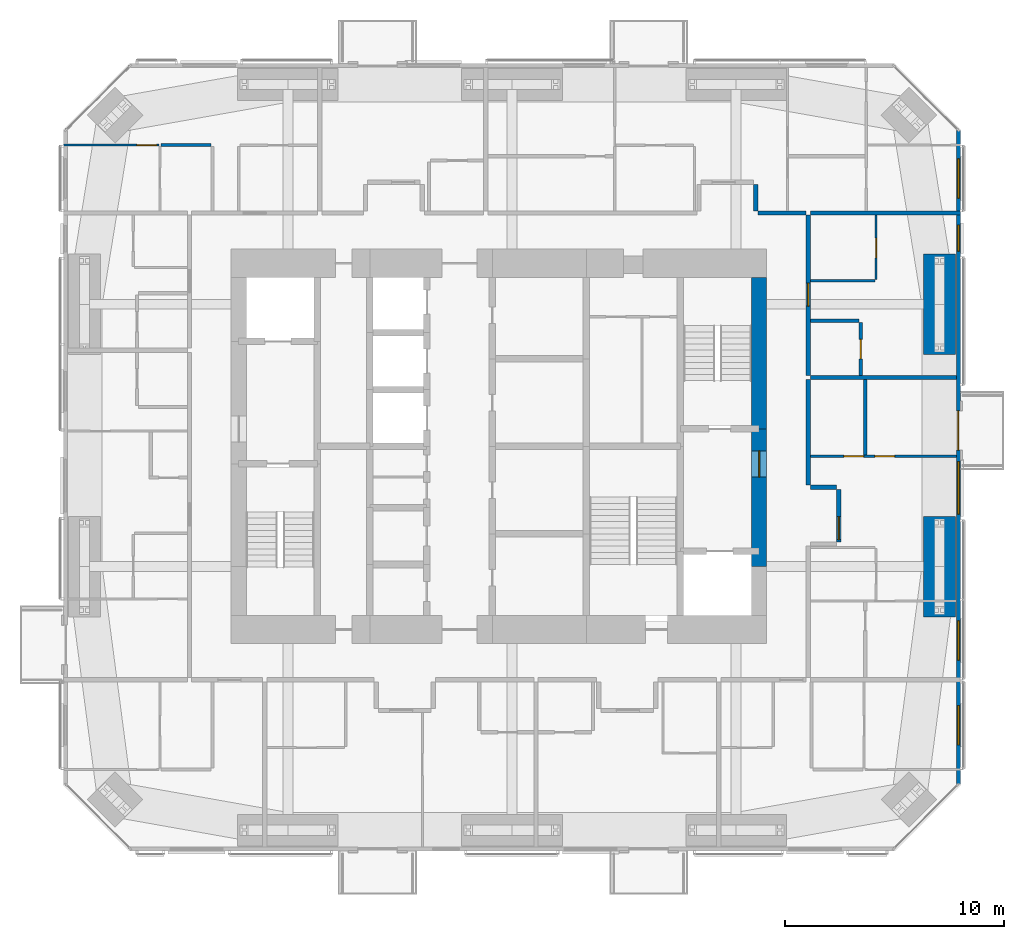
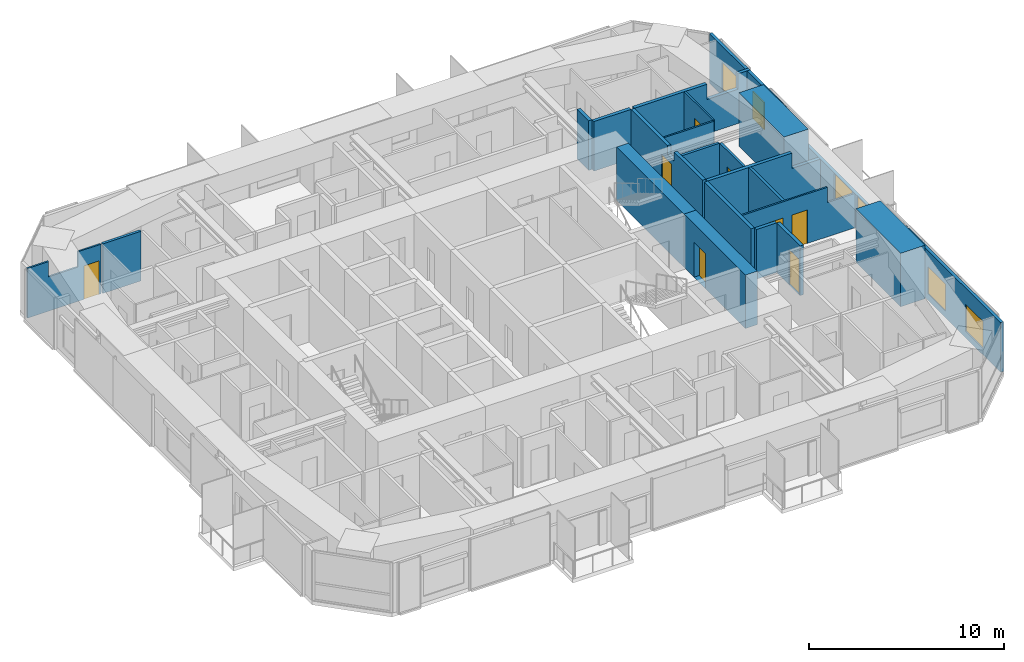
# One storey, part 20 of 23: 21 walls, 9 doors, 5 windows, 14 openings.
"""IFC4 building model written with IfcOpenShell, lengths in metres."""

from ifc_helpers import new_model, si_unit, direction, frame, frame_2d, origin, place, context, subcontext, project, spatial, polyline, rectangle, outline, extrude, material, layer, layer_set, constituent, constituent_set, type_object, element, fill, save


model = new_model("IFC4")

# Units and contexts
model_context = context("Model", 3, precision=1e-05, world=origin(), true_north=direction((0.0, 1.0)))
body_context = subcontext(model_context, "Body", "Model", "MODEL_VIEW")
ifc_project = project(units=[si_unit("LENGTHUNIT", "METRE"), si_unit("AREAUNIT", "SQUARE_METRE"), si_unit("VOLUMEUNIT", "CUBIC_METRE"), si_unit("PLANEANGLEUNIT", "RADIAN"), si_unit("MASSUNIT", "GRAM", prefix="KILO")], contexts=[model_context])

# Site, building, storey
site_placement = place(None, origin())
site = spatial("IfcSite", under=ifc_project, at=site_placement, CompositionType="ELEMENT")
building_placement = place(site_placement, origin())
building = spatial("IfcBuilding", under=site, at=building_placement, Name="Jalousie Tower", CompositionType="ELEMENT")
storey_placement = place(building_placement, frame((0.0, 0.0, 164.39990234375)))
storey = spatial("IfcBuildingStorey", under=building, at=storey_placement, Name="L44", CompositionType="ELEMENT", Elevation=164.39990234375)

# Walls
ifc_material_1 = material(Name="Concrete block ASTM C90", Category="concrete")
ifc_constituent_1 = constituent(ifc_material_1, Name="Body")
ifc_material_2 = material(Name="Render")
ifc_constituent_2 = constituent(ifc_material_2, Name="Finish")
ifc_constituent_set_1 = constituent_set(constituents=[ifc_constituent_1, ifc_constituent_2])
wall_type_1 = type_object("IfcWallType", Name="BATHROOM WALL 150", PredefinedType="PLUMBINGWALL", material=ifc_constituent_set_1)
wall_1_placement = place(storey_placement, frame((18.72509765625, 32.27880859375, 0.0), z_axis=(0.0, 0.0, 1.0), x_axis=(-1.0, 0.0, 0.0)))
element("IfcWall", 1, at=wall_1_placement, inside=storey, type_object=wall_type_1, Name="Bathroom Wall 150 L44", PredefinedType="PLUMBINGWALL", context=body_context, shape_type="SweptSolid", body=[
    extrude(rectangle(XDim=2.275146484375, YDim=0.14990234375, at=frame_2d((1.1376953125, 0.0))), origin(), (0.0, 0.0, 1.0), 3.110107421875),
])
wall_2_placement = place(storey_placement, frame((48.64990234375, 18.10009765625, 0.0), z_axis=(0.0, 0.0, 1.0), x_axis=(0.0, 1.0, 0.0)))
element("IfcWall", 2, at=wall_2_placement, inside=storey, type_object=wall_type_1, Name="Bathroom Wall 150 L44", PredefinedType="PLUMBINGWALL", context=body_context, shape_type="SweptSolid", body=[
    extrude(rectangle(XDim=3.449951171875, YDim=0.14990234375, at=frame_2d((1.72509765625, 0.0))), origin(), (0.0, 0.0, 1.0), 3.110107421875),
])

# Wall, opening, door
wall_3_placement = place(storey_placement, frame((48.449951171875, 21.75, 0.0), z_axis=(0.0, 0.0, 1.0), x_axis=(0.0, 1.0, 0.0)))
wall_3 = element("IfcWall", 3, at=wall_3_placement, inside=storey, type_object=wall_type_1, Name="Bathroom Wall 150 L44", PredefinedType="PLUMBINGWALL", context=body_context, shape_type="SweptSolid", body=[
    extrude(rectangle(XDim=2.425048828125, YDim=0.14990234375, at=frame_2d((1.21240234375, 0.0))), origin(), (0.0, 0.0, 1.0), 3.110107421875),
])
opening_1_placement = place(wall_3_placement, frame((0.75, 0.0, 0.0)))
opening_1 = element("IfcOpeningElement", 4, at=opening_1_placement, cuts=wall_3, Name="Opening D3", PredefinedType="OPENING", context=body_context, shape_type="SweptSolid", body=[
    extrude(rectangle(XDim=0.89990234375, YDim=2.10009765625, at=frame_2d((0.449951171875, 1.050048828125))), frame((0.0, 0.0849609375, 0.0), z_axis=(0.0, -1.0, 0.0), x_axis=(1.0, 0.0, 0.0)), (0.0, 0.0, 1.0), 0.169921875),
])
ifc_material_3 = material(Name="Timber door", Category="wood")
door_type_1 = type_object("IfcDoorType", Name="BATHROOM DOOR 900", OperationType="SINGLE_SWING_LEFT", PredefinedType="DOOR", material=ifc_material_3)
door_1_placement = place(opening_1_placement, origin())
door_1 = element("IfcDoor", 5, at=door_1_placement, inside=storey, type_object=door_type_1, Name="Apartment 4411 bathroom door", OperationType="SINGLE_SWING_LEFT", OverallHeight=2.10009765625, OverallWidth=0.89990234375, PredefinedType="DOOR", context=body_context, shape_type="SweptSolid", body=[
    extrude(rectangle(XDim=0.89990234375, YDim=2.10009765625, at=frame_2d((0.449951171875, 1.050048828125))), frame((0.0, 0.02490234375, 0.0), z_axis=(0.0, -1.0, 0.0), x_axis=(1.0, 0.0, 0.0)), (0.0, 0.0, 1.0), 0.050048828125),
])
fill(opening_1, door_1)

# Wall
wall_4_placement = place(storey_placement, frame((48.375, 24.25, 0.0), z_axis=(0.0, 0.0, 1.0), x_axis=(-1.0, 0.0, 0.0)))
element("IfcWall", 6, at=wall_4_placement, inside=storey, type_object=wall_type_1, Name="Bathroom Wall 150 L44", PredefinedType="PLUMBINGWALL", context=body_context, shape_type="SweptSolid", body=[
    extrude(rectangle(XDim=2.22509765625, YDim=0.14990234375, at=frame_2d((1.112548828125, 0.0))), origin(), (0.0, 0.0, 1.0), 3.110107421875),
])

# Wall, opening, door
ifc_material_4 = material(Name="Concrete f'c 120 MPa", Category="concrete")
ifc_layer_1 = layer(ifc_material_4, 0.699951171875)
ifc_layer_set_1 = layer_set([ifc_layer_1], Name="Concrete f'c 120 MPa")
wall_type_2 = type_object("IfcWallType", Name="CORE WALL 700", PredefinedType="SHEAR", material=ifc_layer_set_1)
wall_5_placement = place(storey_placement, frame((43.800048828125, 13.0, 0.0), z_axis=(0.0, 0.0, 1.0), x_axis=(0.0, 1.0, 0.0)))
wall_5 = element("IfcWall", 7, at=wall_5_placement, inside=storey, type_object=wall_type_2, Name="Core wall EB L44", PredefinedType="SHEAR", context=body_context, shape_type="SweptSolid", body=[
    extrude(rectangle(XDim=6.300048828125, YDim=0.699951171875, at=frame_2d((3.14990234375, 0.0))), origin(), (0.0, 0.0, 1.0), 3.35009765625),
])
opening_2_placement = place(wall_5_placement, frame((4.10009765625, 0.0, 0.0)))
opening_2 = element("IfcOpeningElement", 8, at=opening_2_placement, cuts=wall_5, Name="Opening D11", PredefinedType="OPENING", context=body_context, shape_type="SweptSolid", body=[
    extrude(rectangle(XDim=1.199951171875, YDim=2.199951171875, at=frame_2d((0.60009765625, 1.10009765625))), frame((0.0, 0.35986328125, 0.0), z_axis=(0.0, -1.0, 0.0), x_axis=(1.0, 0.0, 0.0)), (0.0, 0.0, 1.0), 0.719970703125),
])
ifc_material_5 = material(Name="Steel fire door", Category="steel")
door_type_2 = type_object("IfcDoorType", Name="FIRE DOOR 1200", OperationType="SINGLE_SWING_LEFT", PredefinedType="DOOR", material=ifc_material_5)
door_2_placement = place(opening_2_placement, origin())
door_2 = element("IfcDoor", 9, at=door_2_placement, inside=storey, type_object=door_type_2, Name="Fire-fighting lobby B door", OperationType="SINGLE_SWING_RIGHT", OverallHeight=2.199951171875, OverallWidth=1.199951171875, PredefinedType="DOOR", context=body_context, shape_type="SweptSolid", body=[
    extrude(rectangle(XDim=1.199951171875, YDim=2.199951171875, at=frame_2d((0.60009765625, 1.10009765625))), frame((0.0, 0.02490234375, 0.0), z_axis=(0.0, -1.0, 0.0), x_axis=(1.0, 0.0, 0.0)), (0.0, 0.0, 1.0), 0.050048828125),
])
fill(opening_2, door_2)

# Wall
wall_6_placement = place(storey_placement, frame((43.800048828125, 19.300048828125, 0.0), z_axis=(0.0, 0.0, 1.0), x_axis=(0.0, 1.0, 0.0)))
element("IfcWall", 10, at=wall_6_placement, inside=storey, type_object=wall_type_2, Name="Core wall EC L44", PredefinedType="SHEAR", context=body_context, shape_type="SweptSolid", body=[
    extrude(rectangle(XDim=6.925048828125, YDim=0.699951171875, at=frame_2d((3.46240234375, 0.0))), origin(), (0.0, 0.0, 1.0), 3.35009765625),
])

# Wall, opening, door
ifc_material_6 = material(Name="Concrete block ASTM C90", Category="concrete")
ifc_constituent_3 = constituent(ifc_material_6, Name="Body")
ifc_material_7 = material(Name="Render")
ifc_constituent_4 = constituent(ifc_material_7, Name="Finish")
ifc_constituent_set_2 = constituent_set(constituents=[ifc_constituent_3, ifc_constituent_4])
wall_type_3 = type_object("IfcWallType", Name="CORRIDOR WALL 200", PredefinedType="PARTITIONING", material=ifc_constituent_set_2)
wall_7_placement = place(storey_placement, frame((46.050048828125, 21.75, 0.0), z_axis=(0.0, 0.0, 1.0), x_axis=(0.0, 1.0, 0.0)))
wall_7 = element("IfcWall", 11, at=wall_7_placement, inside=storey, type_object=wall_type_3, Name="Corridor Wall 200 L44", PredefinedType="PARTITIONING", context=body_context, shape_type="SweptSolid", body=[
    extrude(outline(polyline([(0.0, 0.0), (7.324951171875, 0.0), (7.324951171875, 3.110107421875), (3.58740234375, 3.110107421875), (3.58740234375, 2.541015625), (2.91259765625, 2.541015625), (2.91259765625, 3.110107421875), (0.0, 3.110107421875), (0.0, 0.0)])), frame((0.0, 0.10009765625, 0.0), z_axis=(0.0, -1.0, 0.0), x_axis=(1.0, 0.0, 0.0)), (0.0, 0.0, 1.0), 0.199951171875),
])
opening_3_placement = place(wall_7_placement, frame((3.16259765625, 0.0, 0.0)))
opening_3 = element("IfcOpeningElement", 12, at=opening_3_placement, cuts=wall_7, Name="Opening D1", PredefinedType="OPENING", context=body_context, shape_type="SweptSolid", body=[
    extrude(rectangle(XDim=1.050048828125, YDim=2.199951171875, at=frame_2d((0.52490234375, 1.10009765625))), frame((0.0, 0.10986328125, 0.0), z_axis=(0.0, -1.0, 0.0), x_axis=(1.0, 0.0, 0.0)), (0.0, 0.0, 1.0), 0.219970703125),
])
ifc_material_8 = material(Name="Timber fire door", Category="wood")
door_type_3 = type_object("IfcDoorType", Name="APARTMENT ENTRANCE DOOR 1050", OperationType="SINGLE_SWING_LEFT", PredefinedType="DOOR", material=ifc_material_8)
door_3_placement = place(opening_3_placement, frame((1.050048828125, 0.0, 0.0), z_axis=(0.0, 0.0, 1.0), x_axis=(-1.0, 0.0, 0.0)))
door_3 = element("IfcDoor", 13, at=door_3_placement, inside=storey, type_object=door_type_3, Name="Apartment 4411 entrance", OperationType="SINGLE_SWING_LEFT", OverallHeight=2.199951171875, OverallWidth=1.050048828125, PredefinedType="DOOR", context=body_context, shape_type="SweptSolid", body=[
    extrude(rectangle(XDim=1.050048828125, YDim=2.199951171875, at=frame_2d((0.52490234375, 1.10009765625))), frame((0.0, 0.02490234375, 0.0), z_axis=(0.0, -1.0, 0.0), x_axis=(1.0, 0.0, 0.0)), (0.0, 0.0, 1.0), 0.050048828125),
])
fill(opening_3, door_3)

# Walls
wall_8_placement = place(storey_placement, frame((43.75, 29.175048828125, 0.0), z_axis=(0.0, 0.0, 1.0), x_axis=(1.0, 0.0, 0.0)))
element("IfcWall", 14, at=wall_8_placement, inside=storey, type_object=wall_type_3, Name="Corridor Wall 200 L44", PredefinedType="PARTITIONING", context=body_context, shape_type="SweptSolid", body=[
    extrude(rectangle(XDim=2.199951171875, YDim=0.199951171875, at=frame_2d((1.10009765625, 0.0))), origin(), (0.0, 0.0, 1.0), 3.110107421875),
])
wall_9_placement = place(storey_placement, frame((43.64990234375, 29.27490234375, 0.0), z_axis=(0.0, 0.0, 1.0), x_axis=(0.0, 1.0, 0.0)))
element("IfcWall", 15, at=wall_9_placement, inside=storey, type_object=wall_type_3, Name="Corridor Wall 200 L44", PredefinedType="PARTITIONING", context=body_context, shape_type="SweptSolid", body=[
    extrude(rectangle(XDim=1.2001953125, YDim=0.199951171875, at=frame_2d((0.60009765625, 0.0))), origin(), (0.0, 0.0, 1.0), 3.110107421875),
])
wall_10_placement = place(storey_placement, frame((46.050048828125, 16.737548828125, 0.0), z_axis=(0.0, 0.0, 1.0), x_axis=(0.0, 1.0, 0.0)))
element("IfcWall", 16, at=wall_10_placement, inside=storey, type_object=wall_type_3, Name="Corridor Wall 200 L44", PredefinedType="PARTITIONING", context=body_context, shape_type="SweptSolid", body=[
    extrude(rectangle(XDim=4.8125, YDim=0.199951171875, at=frame_2d((2.40625, 0.0))), origin(), (0.0, 0.0, 1.0), 3.110107421875),
])

# Wall, opening, door
wall_11_placement = place(storey_placement, frame((47.449951171875, 14.137451171875, 0.0), z_axis=(0.0, 0.0, 1.0), x_axis=(0.0, 1.0, 0.0)))
wall_11 = element("IfcWall", 17, at=wall_11_placement, inside=storey, type_object=wall_type_3, Name="Corridor Wall 200 L44", PredefinedType="PARTITIONING", context=body_context, shape_type="SweptSolid", body=[
    extrude(rectangle(XDim=2.400146484375, YDim=0.199951171875, at=frame_2d((1.2001953125, 0.0))), origin(), (0.0, 0.0, 1.0), 3.110107421875),
])
opening_4_placement = place(wall_11_placement, frame((0.10009765625, 0.0, 0.0)))
opening_4 = element("IfcOpeningElement", 18, at=opening_4_placement, cuts=wall_11, Name="Opening D1", PredefinedType="OPENING", context=body_context, shape_type="SweptSolid", body=[
    extrude(rectangle(XDim=1.050048828125, YDim=2.199951171875, at=frame_2d((0.52490234375, 1.10009765625))), frame((0.0, 0.10986328125, 0.0), z_axis=(0.0, -1.0, 0.0), x_axis=(1.0, 0.0, 0.0)), (0.0, 0.0, 1.0), 0.219970703125),
])
door_4_placement = place(opening_4_placement, frame((1.050048828125, 0.0, 0.0), z_axis=(0.0, 0.0, 1.0), x_axis=(-1.0, 0.0, 0.0)))
door_4 = element("IfcDoor", 19, at=door_4_placement, inside=storey, type_object=door_type_3, Name="Apartment 4410 entrance", OperationType="SINGLE_SWING_RIGHT", OverallHeight=2.199951171875, OverallWidth=1.050048828125, PredefinedType="DOOR", context=body_context, shape_type="SweptSolid", body=[
    extrude(rectangle(XDim=1.050048828125, YDim=2.199951171875, at=frame_2d((0.52490234375, 1.10009765625))), frame((0.0, 0.02490234375, 0.0), z_axis=(0.0, -1.0, 0.0), x_axis=(1.0, 0.0, 0.0)), (0.0, 0.0, 1.0), 0.050048828125),
])
fill(opening_4, door_4)

# Wall
wall_12_placement = place(storey_placement, frame((46.14990234375, 16.637451171875, 0.0), z_axis=(0.0, 0.0, 1.0), x_axis=(1.0, 0.0, 0.0)))
element("IfcWall", 20, at=wall_12_placement, inside=storey, type_object=wall_type_3, Name="Corridor Wall 200 L44", PredefinedType="PARTITIONING", context=body_context, shape_type="SweptSolid", body=[
    extrude(rectangle(XDim=1.2001953125, YDim=0.199951171875, at=frame_2d((0.60009765625, 0.0))), origin(), (0.0, 0.0, 1.0), 3.110107421875),
])

# Wall, openings, door, windows
ifc_material_9 = material(Name="Concrete f'c 40 MPa", Category="concrete")
ifc_constituent_5 = constituent(ifc_material_9, Name="Body")
ifc_material_10 = material(Name="Render, pastel lemon")
ifc_constituent_6 = constituent(ifc_material_10, Name="Finish")
ifc_constituent_set_3 = constituent_set(constituents=[ifc_constituent_5, ifc_constituent_6])
wall_type_4 = type_object("IfcWallType", Name="EXTERNAL WALL 175 LEMON RENDER", PredefinedType="SOLIDWALL", material=ifc_constituent_set_3)
wall_13_placement = place(storey_placement, frame((52.91259765625, 3.05126953125, 0.0), z_axis=(0.0, 0.0, 1.0), x_axis=(0.0, 1.0, 0.0)))
wall_13 = element("IfcWall", 21, at=wall_13_placement, inside=storey, type_object=wall_type_4, Name="External Wall 175 Lemon Render L44", PredefinedType="SOLIDWALL", context=body_context, shape_type="SweptSolid", body=[
    extrude(outline(polyline([(0.0, 0.0), (29.8974609375, 0.0), (29.8974609375, 3.110107421875), (22.16748046875, 3.110107421875), (22.16748046875, 2.150146484375), (22.073974609375, 2.150146484375), (22.073974609375, 3.110107421875), (21.94873046875, 3.110107421875), (21.94873046875, 2.150146484375), (9.94873046875, 2.150146484375), (9.94873046875, 3.110107421875), (9.846923828125, 3.110107421875), (9.846923828125, 2.150146484375), (9.7060546875, 2.150146484375), (9.7060546875, 3.110107421875), (0.0, 3.110107421875), (0.0, 0.0)])), frame((0.0, 0.08740234375, 0.0), z_axis=(0.0, -1.0, 0.0), x_axis=(1.0, 0.0, 0.0)), (0.0, 0.0, 1.0), 0.175048828125),
])
opening_5_placement = place(wall_13_placement, frame((1.796875, 0.0, 0.39990234375)))
opening_5 = element("IfcOpeningElement", 22, at=opening_5_placement, cuts=wall_13, Name="Opening W-BED170", PredefinedType="OPENING", context=body_context, shape_type="SweptSolid", body=[
    extrude(rectangle(XDim=1.800048828125, YDim=1.699951171875, at=frame_2d((0.89990234375, 0.85009765625))), frame((0.0, 0.097412109375, 0.0), z_axis=(0.0, -1.0, 0.0), x_axis=(1.0, 0.0, 0.0)), (0.0, 0.0, 1.0), 0.195068359375),
])
opening_6_placement = place(wall_13_placement, frame((5.673583984375, 0.0, 0.39990234375)))
opening_6 = element("IfcOpeningElement", 23, at=opening_6_placement, cuts=wall_13, Name="Opening W-BED170", PredefinedType="OPENING", context=body_context, shape_type="SweptSolid", body=[
    extrude(rectangle(XDim=1.800048828125, YDim=1.699951171875, at=frame_2d((0.89990234375, 0.85009765625))), frame((0.0, 0.097412109375, 0.0), z_axis=(0.0, -1.0, 0.0), x_axis=(1.0, 0.0, 0.0)), (0.0, 0.0, 1.0), 0.195068359375),
])
opening_7_placement = place(wall_13_placement, frame((12.3486328125, 0.0, 0.39990234375)))
opening_7 = element("IfcOpeningElement", 24, at=opening_7_placement, cuts=wall_13, Name="Opening W-LIV170", PredefinedType="OPENING", context=body_context, shape_type="SweptSolid", body=[
    extrude(rectangle(XDim=2.39990234375, YDim=1.699951171875, at=frame_2d((1.199951171875, 0.85009765625))), frame((0.0, 0.097412109375, 0.0), z_axis=(0.0, -1.0, 0.0), x_axis=(1.0, 0.0, 0.0)), (0.0, 0.0, 1.0), 0.195068359375),
])
opening_8_placement = place(wall_13_placement, frame((15.273681640625, 0.0, 0.0)))
opening_8 = element("IfcOpeningElement", 25, at=opening_8_placement, cuts=wall_13, Name="Opening D-BAL21", PredefinedType="OPENING", context=body_context, shape_type="SweptSolid", body=[
    extrude(rectangle(XDim=1.800048828125, YDim=2.10009765625, at=frame_2d((0.89990234375, 1.050048828125))), frame((0.0, 0.097412109375, 0.0), z_axis=(0.0, -1.0, 0.0), x_axis=(1.0, 0.0, 0.0)), (0.0, 0.0, 1.0), 0.195068359375),
])
opening_9_placement = place(wall_13_placement, frame((24.373291015625, 0.0, 0.39990234375)))
opening_9 = element("IfcOpeningElement", 26, at=opening_9_placement, cuts=wall_13, Name="Opening W-COR170", PredefinedType="OPENING", context=body_context, shape_type="SweptSolid", body=[
    extrude(rectangle(XDim=1.199951171875, YDim=1.699951171875, at=frame_2d((0.60009765625, 0.85009765625))), frame((0.0, 0.097412109375, 0.0), z_axis=(0.0, -1.0, 0.0), x_axis=(1.0, 0.0, 0.0)), (0.0, 0.0, 1.0), 0.195068359375),
])
opening_10_placement = place(wall_13_placement, frame((26.800537109375, 0.0, 0.39990234375)))
opening_10 = element("IfcOpeningElement", 27, at=opening_10_placement, cuts=wall_13, Name="Opening W-BED170", PredefinedType="OPENING", context=body_context, shape_type="SweptSolid", body=[
    extrude(rectangle(XDim=1.800048828125, YDim=1.699951171875, at=frame_2d((0.89990234375, 0.85009765625))), frame((0.0, 0.097412109375, 0.0), z_axis=(0.0, -1.0, 0.0), x_axis=(1.0, 0.0, 0.0)), (0.0, 0.0, 1.0), 0.195068359375),
])
ifc_material_11 = material(Name="Aluminium frame, impact-rated glazing", Category="aluminium")
door_type_4 = type_object("IfcDoorType", Name="BALCONY DOOR 1800x2100", OperationType="SLIDING_TO_LEFT", PredefinedType="DOOR", material=ifc_material_11)
door_5_placement = place(opening_8_placement, origin())
door_5 = element("IfcDoor", 28, at=door_5_placement, inside=storey, type_object=door_type_4, Name="Apartment 4410 bedroom 2 balcony door", OperationType="SLIDING_TO_LEFT", OverallHeight=2.10009765625, OverallWidth=1.800048828125, PredefinedType="DOOR", context=body_context, shape_type="SweptSolid", body=[
    extrude(rectangle(XDim=1.800048828125, YDim=2.10009765625, at=frame_2d((0.89990234375, 1.050048828125))), frame((0.0, 0.02490234375, 0.0), z_axis=(0.0, -1.0, 0.0), x_axis=(1.0, 0.0, 0.0)), (0.0, 0.0, 1.0), 0.050048828125),
])
fill(opening_8, door_5)
ifc_material_12 = material(Name="Aluminium frame, impact-rated glazing", Category="aluminium")
window_type_1 = type_object("IfcWindowType", Name="WINDOW BED 1800x1700", PartitioningType="SINGLE_PANEL", PredefinedType="WINDOW", material=ifc_material_12)
window_1_placement = place(opening_5_placement, origin())
window_1 = element("IfcWindow", 29, at=window_1_placement, inside=storey, type_object=window_type_1, Name="Apartment 4404 bedroom 1 window", OverallHeight=1.699951171875, OverallWidth=1.800048828125, PartitioningType="SINGLE_PANEL", PredefinedType="WINDOW", context=body_context, shape_type="SweptSolid", body=[
    extrude(rectangle(XDim=1.800048828125, YDim=1.699951171875, at=frame_2d((0.89990234375, 0.85009765625))), frame((0.0, 0.030029296875, 0.0), z_axis=(0.0, -1.0, 0.0), x_axis=(1.0, 0.0, 0.0)), (0.0, 0.0, 1.0), 0.06005859375),
])
fill(opening_5, window_1)
window_2_placement = place(opening_6_placement, origin())
window_2 = element("IfcWindow", 30, at=window_2_placement, inside=storey, type_object=window_type_1, Name="Apartment 4410 bedroom 1 window", OverallHeight=1.699951171875, OverallWidth=1.800048828125, PartitioningType="SINGLE_PANEL", PredefinedType="WINDOW", context=body_context, shape_type="SweptSolid", body=[
    extrude(rectangle(XDim=1.800048828125, YDim=1.699951171875, at=frame_2d((0.89990234375, 0.85009765625))), frame((0.0, 0.030029296875, 0.0), z_axis=(0.0, -1.0, 0.0), x_axis=(1.0, 0.0, 0.0)), (0.0, 0.0, 1.0), 0.06005859375),
])
fill(opening_6, window_2)
window_3_placement = place(opening_10_placement, origin())
window_3 = element("IfcWindow", 31, at=window_3_placement, inside=storey, type_object=window_type_1, Name="Apartment 4407 bedroom 3 window", OverallHeight=1.699951171875, OverallWidth=1.800048828125, PartitioningType="SINGLE_PANEL", PredefinedType="WINDOW", context=body_context, shape_type="SweptSolid", body=[
    extrude(rectangle(XDim=1.800048828125, YDim=1.699951171875, at=frame_2d((0.89990234375, 0.85009765625))), frame((0.0, 0.030029296875, 0.0), z_axis=(0.0, -1.0, 0.0), x_axis=(1.0, 0.0, 0.0)), (0.0, 0.0, 1.0), 0.06005859375),
])
fill(opening_10, window_3)
ifc_material_13 = material(Name="Aluminium frame, impact-rated glazing", Category="aluminium")
window_type_2 = type_object("IfcWindowType", Name="WINDOW COR 1200x1700", PartitioningType="SINGLE_PANEL", PredefinedType="WINDOW", material=ifc_material_13)
window_4_placement = place(opening_9_placement, origin())
window_4 = element("IfcWindow", 32, at=window_4_placement, inside=storey, type_object=window_type_2, Name="Apartment 4411 studio living and sleeping room window", OverallHeight=1.699951171875, OverallWidth=1.199951171875, PartitioningType="SINGLE_PANEL", PredefinedType="WINDOW", context=body_context, shape_type="SweptSolid", body=[
    extrude(rectangle(XDim=1.199951171875, YDim=1.699951171875, at=frame_2d((0.60009765625, 0.85009765625))), frame((0.0, 0.030029296875, 0.0), z_axis=(0.0, -1.0, 0.0), x_axis=(1.0, 0.0, 0.0)), (0.0, 0.0, 1.0), 0.06005859375),
])
fill(opening_9, window_4)
ifc_material_14 = material(Name="Aluminium frame, impact-rated glazing", Category="aluminium")
window_type_3 = type_object("IfcWindowType", Name="WINDOW LIV 2400x1700", PartitioningType="DOUBLE_PANEL_VERTICAL", PredefinedType="WINDOW", material=ifc_material_14)
window_5_placement = place(opening_7_placement, origin())
window_5 = element("IfcWindow", 33, at=window_5_placement, inside=storey, type_object=window_type_3, Name="Apartment 4410 living and dining room window", OverallHeight=1.699951171875, OverallWidth=2.39990234375, PartitioningType="SINGLE_PANEL", PredefinedType="WINDOW", context=body_context, shape_type="SweptSolid", body=[
    extrude(rectangle(XDim=2.39990234375, YDim=1.699951171875, at=frame_2d((1.199951171875, 0.85009765625))), frame((0.0, 0.030029296875, 0.0), z_axis=(0.0, -1.0, 0.0), x_axis=(1.0, 0.0, 0.0)), (0.0, 0.0, 1.0), 0.06005859375),
])
fill(opening_7, window_5)

# Wall, opening, door
ifc_material_15 = material(Name="Gypsum board", Category="gypsum")
ifc_constituent_7 = constituent(ifc_material_15, Name="Body")
ifc_material_16 = material(Name="Light-gauge steel studs ASTM A653 SS Grade 33", Category="steel")
ifc_constituent_8 = constituent(ifc_material_16, Name="Framing")
ifc_constituent_set_4 = constituent_set(constituents=[ifc_constituent_7, ifc_constituent_8])
wall_type_5 = type_object("IfcWallType", Name="PARTITION 100", PredefinedType="PARTITIONING", material=ifc_constituent_set_4)
wall_14_placement = place(storey_placement, frame((16.35009765625, 32.27880859375, 0.0), z_axis=(0.0, 0.0, 1.0), x_axis=(-1.0, 0.0, 0.0)))
wall_14 = element("IfcWall", 34, at=wall_14_placement, inside=storey, type_object=wall_type_5, Name="Partition 100 L44", PredefinedType="PARTITIONING", context=body_context, shape_type="SweptSolid", body=[
    extrude(outline(polyline([(0.0, 0.0), (4.35009765625, 0.0), (4.35009765625, 3.110107421875), (3.094482421875, 3.110107421875), (3.094482421875, 2.150146484375), (1.352294921875, 2.150146484375), (1.352294921875, 3.110107421875), (0.0, 3.110107421875), (0.0, 0.0)])), frame((0.0, 0.050048828125, 0.0), z_axis=(0.0, -1.0, 0.0), x_axis=(1.0, 0.0, 0.0)), (0.0, 0.0, 1.0), 0.10009765625),
])
opening_11_placement = place(wall_14_placement, frame((0.10009765625, 0.0, 0.0)))
opening_11 = element("IfcOpeningElement", 35, at=opening_11_placement, cuts=wall_14, Name="Opening D2", PredefinedType="OPENING", context=body_context, shape_type="SweptSolid", body=[
    extrude(rectangle(XDim=0.89990234375, YDim=2.10009765625, at=frame_2d((0.449951171875, 1.050048828125))), frame((0.0, 0.06005859375, 0.0), z_axis=(0.0, -1.0, 0.0), x_axis=(1.0, 0.0, 0.0)), (0.0, 0.0, 1.0), 0.1201171875),
])
ifc_material_17 = material(Name="Timber door", Category="wood")
door_type_5 = type_object("IfcDoorType", Name="BEDROOM DOOR 900", OperationType="SINGLE_SWING_LEFT", PredefinedType="DOOR", material=ifc_material_17)
door_6_placement = place(opening_11_placement, origin())
door_6 = element("IfcDoor", 36, at=door_6_placement, inside=storey, type_object=door_type_5, Name="Apartment 4405 bedroom 1 door", OperationType="SINGLE_SWING_LEFT", OverallHeight=2.10009765625, OverallWidth=0.89990234375, PredefinedType="DOOR", context=body_context, shape_type="SweptSolid", body=[
    extrude(rectangle(XDim=0.89990234375, YDim=2.10009765625, at=frame_2d((0.449951171875, 1.050048828125))), frame((0.0, 0.02490234375, 0.0), z_axis=(0.0, -1.0, 0.0), x_axis=(1.0, 0.0, 0.0)), (0.0, 0.0, 1.0), 0.050048828125),
])
fill(opening_11, door_6)

# Wall, openings, doors
wall_15_placement = place(storey_placement, frame((52.824951171875, 18.050048828125, 0.0), z_axis=(0.0, 0.0, 1.0), x_axis=(-1.0, 0.0, 0.0)))
wall_15 = element("IfcWall", 37, at=wall_15_placement, inside=storey, type_object=wall_type_5, Name="Partition 100 L44", PredefinedType="PARTITIONING", context=body_context, shape_type="SweptSolid", body=[
    extrude(outline(polyline([(0.0, 0.0), (6.675048828125, 0.0), (6.675048828125, 3.110107421875), (1.635009765625, 3.110107421875), (1.635009765625, 2.150146484375), (0.0, 2.150146484375), (0.0, 3.110107421875), (0.0, 0.0)])), frame((0.0, 0.050048828125, 0.0), z_axis=(0.0, -1.0, 0.0), x_axis=(1.0, 0.0, 0.0)), (0.0, 0.0, 1.0), 0.10009765625),
])
opening_12_placement = place(wall_15_placement, frame((2.824951171875, 0.0, 0.0)))
opening_12 = element("IfcOpeningElement", 38, at=opening_12_placement, cuts=wall_15, Name="Opening D2", PredefinedType="OPENING", context=body_context, shape_type="SweptSolid", body=[
    extrude(rectangle(XDim=0.89990234375, YDim=2.10009765625, at=frame_2d((0.449951171875, 1.050048828125))), frame((0.0, 0.06005859375, 0.0), z_axis=(0.0, -1.0, 0.0), x_axis=(1.0, 0.0, 0.0)), (0.0, 0.0, 1.0), 0.1201171875),
])
opening_13_placement = place(wall_15_placement, frame((4.25, 0.0, 0.0)))
opening_13 = element("IfcOpeningElement", 39, at=opening_13_placement, cuts=wall_15, Name="Opening D7", PredefinedType="OPENING", context=body_context, shape_type="SweptSolid", body=[
    extrude(rectangle(XDim=0.89990234375, YDim=2.10009765625, at=frame_2d((0.449951171875, 1.050048828125))), frame((0.0, 0.06005859375, 0.0), z_axis=(0.0, -1.0, 0.0), x_axis=(1.0, 0.0, 0.0)), (0.0, 0.0, 1.0), 0.1201171875),
])
door_7_placement = place(opening_12_placement, frame((0.89990234375, 0.0, 0.0), z_axis=(0.0, 0.0, 1.0), x_axis=(-1.0, 0.0, 0.0)))
door_7 = element("IfcDoor", 40, at=door_7_placement, inside=storey, type_object=door_type_5, Name="Apartment 4410 bedroom 2 door", OperationType="SINGLE_SWING_LEFT", OverallHeight=2.10009765625, OverallWidth=0.89990234375, PredefinedType="DOOR", context=body_context, shape_type="SweptSolid", body=[
    extrude(rectangle(XDim=0.89990234375, YDim=2.10009765625, at=frame_2d((0.449951171875, 1.050048828125))), frame((0.0, 0.02490234375, 0.0), z_axis=(0.0, -1.0, 0.0), x_axis=(1.0, 0.0, 0.0)), (0.0, 0.0, 1.0), 0.050048828125),
])
fill(opening_12, door_7)
ifc_material_18 = material(Name="Timber door", Category="wood")
door_type_6 = type_object("IfcDoorType", Name="INTERNAL DOOR 900", OperationType="SINGLE_SWING_LEFT", PredefinedType="DOOR", material=ifc_material_18)
door_8_placement = place(opening_13_placement, frame((0.89990234375, 0.0, 0.0), z_axis=(0.0, 0.0, 1.0), x_axis=(-1.0, 0.0, 0.0)))
door_8 = element("IfcDoor", 41, at=door_8_placement, inside=storey, type_object=door_type_6, Name="Apartment 4410 bathroom door", OperationType="SINGLE_SWING_RIGHT", OverallHeight=2.10009765625, OverallWidth=0.89990234375, PredefinedType="DOOR", context=body_context, shape_type="SweptSolid", body=[
    extrude(rectangle(XDim=0.89990234375, YDim=2.10009765625, at=frame_2d((0.449951171875, 1.050048828125))), frame((0.0, 0.02490234375, 0.0), z_axis=(0.0, -1.0, 0.0), x_axis=(1.0, 0.0, 0.0)), (0.0, 0.0, 1.0), 0.050048828125),
])
fill(opening_13, door_8)

# Wall, opening, door
wall_16_placement = place(storey_placement, frame((49.14990234375, 26.125, 0.0), z_axis=(0.0, 0.0, 1.0), x_axis=(0.0, 1.0, 0.0)))
wall_16 = element("IfcWall", 42, at=wall_16_placement, inside=storey, type_object=wall_type_5, Name="Partition 100 L44", PredefinedType="PARTITIONING", context=body_context, shape_type="SweptSolid", body=[
    extrude(rectangle(XDim=2.949951171875, YDim=0.10009765625, at=frame_2d((1.47509765625, 0.0))), origin(), (0.0, 0.0, 1.0), 3.110107421875),
])
opening_14_placement = place(wall_16_placement, frame((1.0, 0.0, 0.0)))
opening_14 = element("IfcOpeningElement", 43, at=opening_14_placement, cuts=wall_16, Name="Opening D7", PredefinedType="OPENING", context=body_context, shape_type="SweptSolid", body=[
    extrude(rectangle(XDim=0.89990234375, YDim=2.10009765625, at=frame_2d((0.449951171875, 1.050048828125))), frame((0.0, 0.06005859375, 0.0), z_axis=(0.0, -1.0, 0.0), x_axis=(1.0, 0.0, 0.0)), (0.0, 0.0, 1.0), 0.1201171875),
])
door_9_placement = place(opening_14_placement, origin())
door_9 = element("IfcDoor", 44, at=door_9_placement, inside=storey, type_object=door_type_6, Name="Apartment 4411 kitchen door", OperationType="SINGLE_SWING_LEFT", OverallHeight=2.10009765625, OverallWidth=0.89990234375, PredefinedType="DOOR", context=body_context, shape_type="SweptSolid", body=[
    extrude(rectangle(XDim=0.89990234375, YDim=2.10009765625, at=frame_2d((0.449951171875, 1.050048828125))), frame((0.0, 0.02490234375, 0.0), z_axis=(0.0, -1.0, 0.0), x_axis=(1.0, 0.0, 0.0)), (0.0, 0.0, 1.0), 0.050048828125),
])
fill(opening_14, door_9)

# Walls
wall_17_placement = place(storey_placement, frame((49.10009765625, 26.074951171875, 0.0), z_axis=(0.0, 0.0, 1.0), x_axis=(-1.0, 0.0, 0.0)))
element("IfcWall", 45, at=wall_17_placement, inside=storey, type_object=wall_type_5, Name="Partition 100 L44", PredefinedType="PARTITIONING", context=body_context, shape_type="SweptSolid", body=[
    extrude(rectangle(XDim=2.9501953125, YDim=0.10009765625, at=frame_2d((1.47509765625, 0.0))), origin(), (0.0, 0.0, 1.0), 3.110107421875),
])
ifc_material_19 = material(Name="Concrete block ASTM C90", Category="concrete")
ifc_constituent_9 = constituent(ifc_material_19, Name="Body")
ifc_material_20 = material(Name="Render")
ifc_constituent_10 = constituent(ifc_material_20, Name="Finish")
ifc_constituent_set_5 = constituent_set(constituents=[ifc_constituent_9, ifc_constituent_10])
wall_type_6 = type_object("IfcWallType", Name="PARTY WALL 200", PredefinedType="PARTITIONING", material=ifc_constituent_set_5)
wall_18_placement = place(storey_placement, frame((46.14990234375, 29.175048828125, 0.0), z_axis=(0.0, 0.0, 1.0), x_axis=(1.0, 0.0, 0.0)))
element("IfcWall", 46, at=wall_18_placement, inside=storey, type_object=wall_type_6, Name="Party Wall 200 L44", PredefinedType="PARTITIONING", context=body_context, shape_type="SweptSolid", body=[
    extrude(outline(polyline([(0.0, 0.0), (6.85009765625, 0.0), (6.85009765625, 3.110107421875), (6.14697265625, 3.110107421875), (6.14697265625, 2.150146484375), (4.30322265625, 2.150146484375), (4.30322265625, 3.110107421875), (0.0, 3.110107421875), (0.0, 0.0)])), frame((0.0, 0.10009765625, 0.0), z_axis=(0.0, -1.0, 0.0), x_axis=(1.0, 0.0, 0.0)), (0.0, 0.0, 1.0), 0.199951171875),
])
wall_19_placement = place(storey_placement, frame((52.824951171875, 21.64990234375, 0.0), z_axis=(0.0, 0.0, 1.0), x_axis=(-1.0, 0.0, 0.0)))
element("IfcWall", 47, at=wall_19_placement, inside=storey, type_object=wall_type_6, Name="Party Wall 200 L44", PredefinedType="PARTITIONING", context=body_context, shape_type="SweptSolid", body=[
    extrude(outline(polyline([(0.0, 0.0), (6.675048828125, 0.0), (6.675048828125, 3.110107421875), (1.68505859375, 3.110107421875), (1.68505859375, 2.150146484375), (0.0, 2.150146484375), (0.0, 3.110107421875), (0.0, 0.0)])), frame((0.0, 0.10009765625, 0.0), z_axis=(0.0, -1.0, 0.0), x_axis=(1.0, 0.0, 0.0)), (0.0, 0.0, 1.0), 0.199951171875),
])
ifc_material_21 = material(Name="Concrete f'c 120 MPa", Category="concrete")
ifc_layer_2 = layer(ifc_material_21, 1.449951171875)
ifc_layer_set_2 = layer_set([ifc_layer_2], Name="Concrete f'c 120 MPa")
wall_type_7 = type_object("IfcWallType", Name="RC WALL PIER 1450", PredefinedType="SHEAR", material=ifc_layer_set_2)
for number, where, z_axis, x_axis, name in (
    (48, (52.050048828125, 10.699951171875, 0.0), (0.0, 0.0, 1.0), (0.0, 1.0, 0.0), "Wall pier 06 L44"),
    (49, (52.050048828125, 22.699951171875, 0.0), (0.0, 0.0, 1.0), (0.0, 1.0, 0.0), "Wall pier 07 L44"),
):
    element("IfcWall", number, at=place(storey_placement, frame(where, z_axis=z_axis, x_axis=x_axis)), inside=storey, type_object=wall_type_7, Name=name, PredefinedType="SHEAR", context=body_context, shape_type="SweptSolid", body=[
        extrude(rectangle(XDim=4.60009765625, YDim=1.449951171875, at=frame_2d((2.300048828125, 0.0))), origin(), (0.0, 0.0, 1.0), 3.35009765625),
    ])

save(model, "model.ifc")
